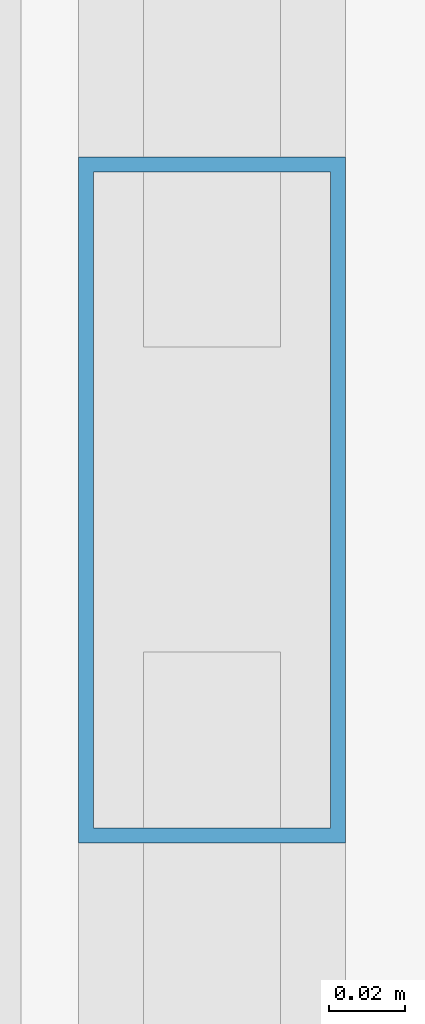
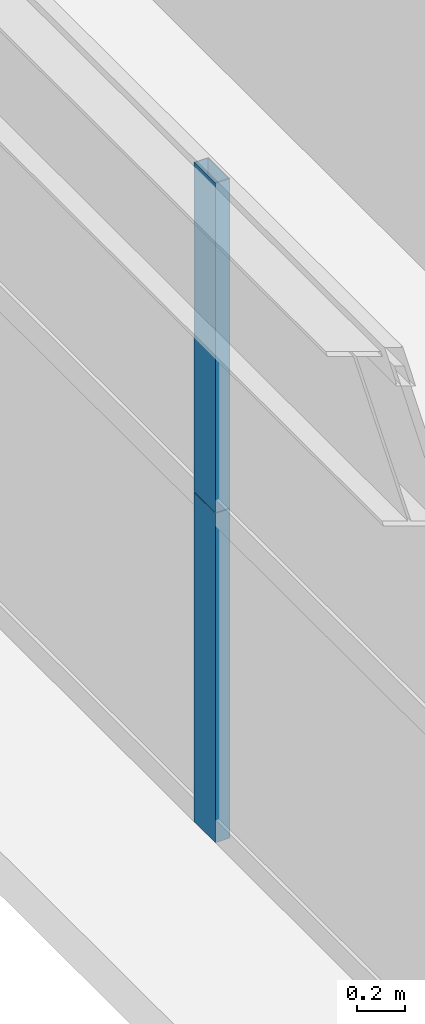
# One storey, part 23 of 45: 2 members, 1 element without a shape of its own.
"""IFC4 building model written with IfcOpenShell, lengths in metres."""

from ifc_helpers import new_model, si_unit, direction, frame, origin, origin_2d, place, context, subcontext, project, spatial, hollow_rectangle, extrude, source, transform, mapped, material, layer, layer_set, material_profile, profile_set, type_object, element, aggregate, save


model = new_model("IFC4")

# Units and contexts
model_context = context("Model", 3, precision=1e-05, world=origin(), true_north=direction((0.0, 1.0)))
body_context = subcontext(model_context, "Body", "Model", "MODEL_VIEW")
ifc_project = project(units=[si_unit("LENGTHUNIT", "METRE"), si_unit("AREAUNIT", "SQUARE_METRE"), si_unit("VOLUMEUNIT", "CUBIC_METRE"), si_unit("PLANEANGLEUNIT", "RADIAN"), si_unit("MASSUNIT", "GRAM", prefix="KILO"), si_unit("THERMODYNAMICTEMPERATUREUNIT", "KELVIN"), si_unit("POWERUNIT", "WATT")], contexts=[model_context])

# Site, building, storey
site_placement = place(None, origin())
site = spatial("IfcSite", under=ifc_project, at=site_placement, CompositionType="ELEMENT")
building_placement = place(site_placement, origin())
building = spatial("IfcBuilding", under=site, at=building_placement, Name="Yuzanri Waterfront Tower", CompositionType="ELEMENT")
storey_placement = place(building_placement, frame((0.0, 0.0, 49.60009765625)))
storey = spatial("IfcBuildingStorey", under=building, at=storey_placement, Name="L12", CompositionType="ELEMENT", Elevation=49.60009765625)

# Curtain wall, members
ifc_material_1 = material(Name="Anodized Architectural Bronze", Category="metal")
ifc_layer = layer(ifc_material_1, 0.159912109375)
ifc_layer_set = layer_set([ifc_layer], Name="Anodized Architectural Bronze")
curtain_wall_type = type_object("IfcCurtainWallType", Name="Anodized Bronze Hotel Lower-Tier Recessed Unitized Curtain Wall 8100", PredefinedType="NOTDEFINED", material=ifc_layer_set)
curtain_wall_placement = place(storey_placement, origin())
curtain_wall = element("IfcCurtainWall", 1, at=curtain_wall_placement, inside=storey, type_object=curtain_wall_type, Name="L12 Curtain Wall CW-L12-WR", PredefinedType="NOTDEFINED")
ifc_material_2 = material(Name="Anodized Architectural Bronze", Category="metal")
ifc_material_profile = material_profile(ifc_material_2, hollow_rectangle(XDim=0.070068359375, YDim=0.179931640625, WallThickness=0.00390625, at=origin_2d()), Name="CWM 70x180")
ifc_profile_set = profile_set([ifc_material_profile], Name="Anodized Architectural Bronze")
member_type = type_object("IfcMemberType", Name="Anodized Bronze Standard Curtain-Wall Mullion 70x180", PredefinedType="MULLION", material=ifc_profile_set)
shared_shape = source(origin(), body_context, "Body", "SweptSolid", [
    extrude(hollow_rectangle(XDim=0.070068359375, YDim=0.179931640625, WallThickness=0.00390625, at=origin_2d()), origin(), (0.0, 0.0, 1.0), 1.68798828125),
])
member_1_placement = place(storey_placement, frame((12.050048828125, 34.89990234375, 0.0), z_axis=(0.0, 0.0, 1.0), x_axis=(1.0, 0.0, 0.0)))
member_1 = element("IfcMember", 2, at=member_1_placement, type_object=member_type, Name="CW-L12-WR Lower Mullion 01", PredefinedType="MULLION", context=body_context, shape_type="MappedRepresentation", body=[
    mapped(shared_shape, transform((0.0, 0.0, 0.0), scale=1.0)),
])
member_2_placement = place(storey_placement, frame((12.050048828125, 34.89990234375, 1.69189453125), z_axis=(0.0, 0.0, 1.0), x_axis=(1.0, 0.0, 0.0)))
member_2 = element("IfcMember", 3, at=member_2_placement, type_object=member_type, Name="CW-L12-WR Upper Mullion 01", PredefinedType="MULLION", context=body_context, shape_type="MappedRepresentation", body=[
    mapped(shared_shape, transform((0.0, 0.0, 0.0), scale=1.0)),
])
aggregate(curtain_wall, [member_1, member_2])

save(model, "model.ifc")
